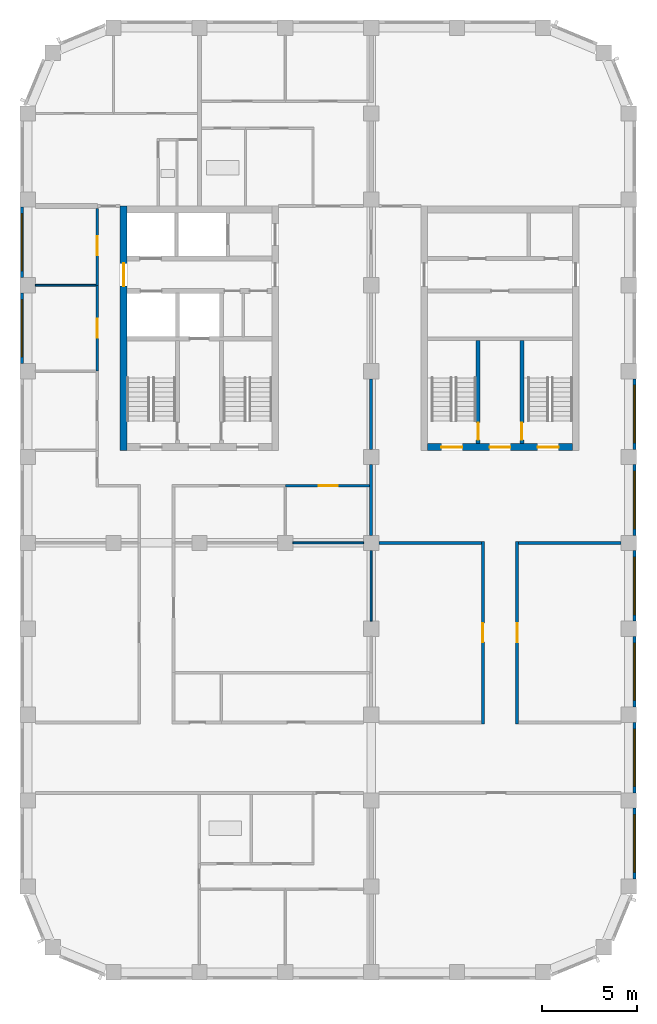
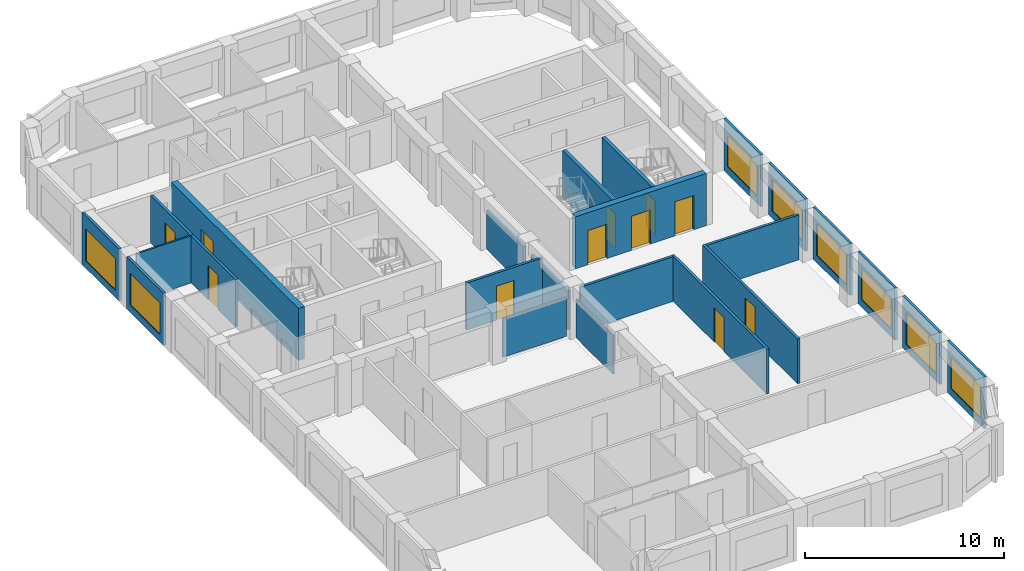
# One storey, part 4 of 9: 24 walls, 11 doors, 8 windows, 19 openings.
"""IFC4 building model written with IfcOpenShell, lengths in metres."""

from ifc_helpers import new_model, si_unit, direction, frame, frame_2d, origin, place, context, subcontext, project, spatial, rectangle, extrude, material, layer, layer_set, type_object, element, fill, save


model = new_model("IFC4")

# Units and contexts
model_context = context("Model", 3, precision=1e-05, world=origin(), true_north=direction((0.0, 1.0)))
body_context = subcontext(model_context, "Body", "Model", "MODEL_VIEW")
ifc_project = project(units=[si_unit("LENGTHUNIT", "METRE"), si_unit("AREAUNIT", "SQUARE_METRE"), si_unit("VOLUMEUNIT", "CUBIC_METRE"), si_unit("PLANEANGLEUNIT", "RADIAN"), si_unit("MASSUNIT", "GRAM", prefix="KILO")], contexts=[model_context])

# Site, building, storey
site_placement = place(None, origin())
site = spatial("IfcSite", under=ifc_project, at=site_placement, CompositionType="ELEMENT")
building_placement = place(site_placement, origin())
building = spatial("IfcBuilding", under=site, at=building_placement, Name="Girih Gate Residences", CompositionType="ELEMENT")
storey_placement = place(building_placement, frame((0.0, 0.0, 219.695068359375)))
storey = spatial("IfcBuildingStorey", under=building, at=storey_placement, Name="L61", CompositionType="ELEMENT", Elevation=219.695068359375)

# Walls
ifc_material_1 = material(Name="Gypsum board on steel studs", Category="steel")
ifc_layer_1 = layer(ifc_material_1, 0.14990234375)
ifc_layer_set_1 = layer_set([ifc_layer_1], Name="Compartment wall 150 mm")
wall_type_1 = type_object("IfcWallType", Name="Compartment wall 150 mm", PredefinedType="PARTITIONING", material=ifc_layer_set_1)
for number, where, z_axis, x_axis, name in (
    (1, (18.39990234375, 22.5, 0.0), (0.0, 0.0, 1.0), (1.0, 0.0, 0.0), "L61 partition"),
    (2, (25.72509765625, 22.5, 0.0), (0.0, 0.0, 1.0), (1.0, 0.0, 0.0), "L61 partition"),
):
    element("IfcWall", number, at=place(storey_placement, frame(where, z_axis=z_axis, x_axis=x_axis)), inside=storey, type_object=wall_type_1, Name=name, PredefinedType="PARTITIONING", context=body_context, shape_type="SweptSolid", body=[
        extrude(rectangle(XDim=5.375, YDim=0.14990234375, at=frame_2d((2.6875, 0.0))), origin(), (0.0, 0.0, 1.0), 2.75),
    ])
for number, where, z_axis, x_axis, name in (
    (3, (18.0, 27.39990234375, 0.0), (0.0, 0.0, 1.0), (0.0, 1.0, 0.0), "L61 partition"),
    (4, (18.0, 22.89990234375, 0.0), (0.0, 0.0, 1.0), (0.0, 1.0, 0.0), "L61 partition"),
):
    element("IfcWall", number, at=place(storey_placement, frame(where, z_axis=z_axis, x_axis=x_axis)), inside=storey, type_object=wall_type_1, Name=name, PredefinedType="PARTITIONING", context=body_context, shape_type="SweptSolid", body=[
        extrude(rectangle(XDim=3.7001953125, YDim=0.14990234375, at=frame_2d((1.85009765625, 0.0))), origin(), (0.0, 0.0, 1.0), 2.3798828125),
    ])

# Wall, opening, door
wall_1_placement = place(storey_placement, frame((23.85009765625, 13.02490234375, 0.0), z_axis=(0.0, 0.0, 1.0), x_axis=(0.0, 1.0, 0.0)))
wall_1 = element("IfcWall", 5, at=wall_1_placement, inside=storey, type_object=wall_type_1, Name="L61 partition", PredefinedType="PARTITIONING", context=body_context, shape_type="SweptSolid", body=[
    extrude(rectangle(XDim=9.550048828125, YDim=0.14990234375, at=frame_2d((4.77490234375, 0.0))), origin(), (0.0, 0.0, 1.0), 2.75),
])
opening_1_placement = place(wall_1_placement, frame((4.27490234375, 0.0, 0.0)))
opening_1 = element("IfcOpeningElement", 6, at=opening_1_placement, cuts=wall_1, Name="Opening A61-021", PredefinedType="OPENING", context=body_context, shape_type="SweptSolid", body=[
    extrude(rectangle(XDim=1.0, YDim=2.10009765625, at=frame_2d((0.5, 1.050048828125))), frame((0.0, 0.0849609375, 0.0), z_axis=(0.0, -1.0, 0.0), x_axis=(1.0, 0.0, 0.0)), (0.0, 0.0, 1.0), 0.169921875),
])
ifc_material_2 = material(Name="Timber, fire-rated core", Category="wood")
door_type_1 = type_object("IfcDoorType", Name="Amenity room door 1000x2100 FD30S", OperationType="NOTDEFINED", PredefinedType="DOOR", material=ifc_material_2)
door_1_placement = place(opening_1_placement, origin())
door_1 = element("IfcDoor", 7, at=door_1_placement, inside=storey, type_object=door_type_1, Name="Door A61-021", OperationType="SINGLE_SWING_RIGHT", OverallHeight=2.10009765625, OverallWidth=1.0, PredefinedType="DOOR", context=body_context, shape_type="SweptSolid", body=[
    extrude(rectangle(XDim=1.0, YDim=2.10009765625, at=frame_2d((0.5, 1.050048828125))), frame((0.0, 0.02490234375, 0.0), z_axis=(0.0, -1.0, 0.0), x_axis=(1.0, 0.0, 0.0)), (0.0, 0.0, 1.0), 0.050048828125),
])
fill(opening_1, door_1)

wall_2_placement = place(storey_placement, frame((25.64990234375, 22.574951171875, 0.0), z_axis=(0.0, 0.0, 1.0), x_axis=(0.0, -1.0, 0.0)))
wall_2 = element("IfcWall", 8, at=wall_2_placement, inside=storey, type_object=wall_type_1, Name="L61 partition", PredefinedType="PARTITIONING", context=body_context, shape_type="SweptSolid", body=[
    extrude(rectangle(XDim=9.550048828125, YDim=0.14990234375, at=frame_2d((4.77490234375, 0.0))), origin(), (0.0, 0.0, 1.0), 2.75),
])
opening_2_placement = place(wall_2_placement, frame((4.27490234375, 0.0, 0.0)))
opening_2 = element("IfcOpeningElement", 9, at=opening_2_placement, cuts=wall_2, Name="Opening A61-022", PredefinedType="OPENING", context=body_context, shape_type="SweptSolid", body=[
    extrude(rectangle(XDim=1.0, YDim=2.10009765625, at=frame_2d((0.5, 1.050048828125))), frame((0.0, 0.0849609375, 0.0), z_axis=(0.0, -1.0, 0.0), x_axis=(1.0, 0.0, 0.0)), (0.0, 0.0, 1.0), 0.169921875),
])
door_2_placement = place(opening_2_placement, origin())
door_2 = element("IfcDoor", 10, at=door_2_placement, inside=storey, type_object=door_type_1, Name="Door A61-022", OperationType="SINGLE_SWING_LEFT", OverallHeight=2.10009765625, OverallWidth=1.0, PredefinedType="DOOR", context=body_context, shape_type="SweptSolid", body=[
    extrude(rectangle(XDim=1.0, YDim=2.10009765625, at=frame_2d((0.5, 1.050048828125))), frame((0.0, 0.02490234375, 0.0), z_axis=(0.0, -1.0, 0.0), x_axis=(1.0, 0.0, 0.0)), (0.0, 0.0, 1.0), 0.050048828125),
])
fill(opening_2, door_2)

wall_3_placement = place(storey_placement, frame((17.925048828125, 25.5, 0.0), z_axis=(0.0, 0.0, 1.0), x_axis=(-1.0, 0.0, 0.0)))
wall_3 = element("IfcWall", 11, at=wall_3_placement, inside=storey, type_object=wall_type_1, Name="L61 partition", PredefinedType="PARTITIONING", context=body_context, shape_type="SweptSolid", body=[
    extrude(rectangle(XDim=4.425048828125, YDim=0.14990234375, at=frame_2d((2.21240234375, 0.0))), origin(), (0.0, 0.0, 1.0), 2.89990234375),
])
opening_3_placement = place(wall_3_placement, frame((1.675048828125, 0.0, 0.0)))
opening_3 = element("IfcOpeningElement", 12, at=opening_3_placement, cuts=wall_3, Name="Opening A61-027", PredefinedType="OPENING", context=body_context, shape_type="SweptSolid", body=[
    extrude(rectangle(XDim=1.0, YDim=2.10009765625, at=frame_2d((0.5, 1.050048828125))), frame((0.0, 0.0849609375, 0.0), z_axis=(0.0, -1.0, 0.0), x_axis=(1.0, 0.0, 0.0)), (0.0, 0.0, 1.0), 0.169921875),
])
door_3_placement = place(opening_3_placement, origin())
door_3 = element("IfcDoor", 13, at=door_3_placement, inside=storey, type_object=door_type_1, Name="Door A61-027", OperationType="SINGLE_SWING_LEFT", OverallHeight=2.10009765625, OverallWidth=1.0, PredefinedType="DOOR", context=body_context, shape_type="SweptSolid", body=[
    extrude(rectangle(XDim=1.0, YDim=2.10009765625, at=frame_2d((0.5, 1.050048828125))), frame((0.0, 0.02490234375, 0.0), z_axis=(0.0, -1.0, 0.0), x_axis=(1.0, 0.0, 0.0)), (0.0, 0.0, 1.0), 0.050048828125),
])
fill(opening_3, door_3)

wall_4_placement = place(storey_placement, frame((3.64990234375, 31.5, 0.0), z_axis=(0.0, 0.0, 1.0), x_axis=(0.0, 1.0, 0.0)))
wall_4 = element("IfcWall", 14, at=wall_4_placement, inside=storey, type_object=wall_type_1, Name="L61 partition", PredefinedType="PARTITIONING", context=body_context, shape_type="SweptSolid", body=[
    extrude(rectangle(XDim=4.5, YDim=0.14990234375, at=frame_2d((2.25, 0.0))), origin(), (0.0, 0.0, 1.0), 2.89990234375),
])
opening_4_placement = place(wall_4_placement, frame((1.75, 0.0, 0.0)))
opening_4 = element("IfcOpeningElement", 15, at=opening_4_placement, cuts=wall_4, Name="Opening A61-029", PredefinedType="OPENING", context=body_context, shape_type="SweptSolid", body=[
    extrude(rectangle(XDim=1.0, YDim=2.10009765625, at=frame_2d((0.5, 1.050048828125))), frame((0.0, 0.0849609375, 0.0), z_axis=(0.0, -1.0, 0.0), x_axis=(1.0, 0.0, 0.0)), (0.0, 0.0, 1.0), 0.169921875),
])
door_4_placement = place(opening_4_placement, origin())
door_4 = element("IfcDoor", 16, at=door_4_placement, inside=storey, type_object=door_type_1, Name="Door A61-029", OperationType="SINGLE_SWING_RIGHT", OverallHeight=2.10009765625, OverallWidth=1.0, PredefinedType="DOOR", context=body_context, shape_type="SweptSolid", body=[
    extrude(rectangle(XDim=1.0, YDim=2.10009765625, at=frame_2d((0.5, 1.050048828125))), frame((0.0, 0.02490234375, 0.0), z_axis=(0.0, -1.0, 0.0), x_axis=(1.0, 0.0, 0.0)), (0.0, 0.0, 1.0), 0.050048828125),
])
fill(opening_4, door_4)

wall_5_placement = place(storey_placement, frame((3.64990234375, 36.0, 0.0), z_axis=(0.0, 0.0, 1.0), x_axis=(0.0, 1.0, 0.0)))
wall_5 = element("IfcWall", 17, at=wall_5_placement, inside=storey, type_object=wall_type_1, Name="L61 partition", PredefinedType="PARTITIONING", context=body_context, shape_type="SweptSolid", body=[
    extrude(rectangle(XDim=4.02490234375, YDim=0.14990234375, at=frame_2d((2.012451171875, 0.0))), origin(), (0.0, 0.0, 1.0), 2.89990234375),
])
opening_5_placement = place(wall_5_placement, frame((1.574951171875, 0.0, 0.0)))
opening_5 = element("IfcOpeningElement", 18, at=opening_5_placement, cuts=wall_5, Name="Opening A61-030", PredefinedType="OPENING", context=body_context, shape_type="SweptSolid", body=[
    extrude(rectangle(XDim=1.0, YDim=2.10009765625, at=frame_2d((0.5, 1.050048828125))), frame((0.0, 0.0849609375, 0.0), z_axis=(0.0, -1.0, 0.0), x_axis=(1.0, 0.0, 0.0)), (0.0, 0.0, 1.0), 0.169921875),
])
door_5_placement = place(opening_5_placement, origin())
door_5 = element("IfcDoor", 19, at=door_5_placement, inside=storey, type_object=door_type_1, Name="Door A61-030", OperationType="SINGLE_SWING_RIGHT", OverallHeight=2.10009765625, OverallWidth=1.0, PredefinedType="DOOR", context=body_context, shape_type="SweptSolid", body=[
    extrude(rectangle(XDim=1.0, YDim=2.10009765625, at=frame_2d((0.5, 1.050048828125))), frame((0.0, 0.02490234375, 0.0), z_axis=(0.0, -1.0, 0.0), x_axis=(1.0, 0.0, 0.0)), (0.0, 0.0, 1.0), 0.050048828125),
])
fill(opening_5, door_5)

ifc_material_3 = material(Name="Concrete C60/75", Category="concrete")
ifc_layer_2 = layer(ifc_material_3, 0.35009765625)
ifc_layer_set_2 = layer_set([ifc_layer_2], Name="Core wall RC 350 Concrete C60/75")
wall_type_2 = type_object("IfcWallType", Name="Core wall RC 350 Concrete C60/75", PredefinedType="SOLIDWALL", material=ifc_layer_set_2)
wall_6_placement = place(storey_placement, frame((5.02490234375, 27.35009765625, 0.0), z_axis=(0.0, 0.0, 1.0), x_axis=(0.0, 1.0, 0.0)))
wall_6 = element("IfcWall", 20, at=wall_6_placement, inside=storey, type_object=wall_type_2, Name="Core wall W-W L61", PredefinedType="SOLIDWALL", context=body_context, shape_type="SweptSolid", body=[
    extrude(rectangle(XDim=12.7998046875, YDim=0.35009765625, at=frame_2d((6.39990234375, 0.0))), origin(), (0.0, 0.0, 1.0), 3.199951171875),
])
opening_6_placement = place(wall_6_placement, frame((8.60009765625, 0.0, 0.0)))
opening_6 = element("IfcOpeningElement", 21, at=opening_6_placement, cuts=wall_6, Name="Opening D-L61-W-013", PredefinedType="OPENING", context=body_context, shape_type="SweptSolid", body=[
    extrude(rectangle(XDim=1.199951171875, YDim=2.10009765625, at=frame_2d((0.60009765625, 1.050048828125))), frame((0.0, 0.18505859375, 0.0), z_axis=(0.0, -1.0, 0.0), x_axis=(1.0, 0.0, 0.0)), (0.0, 0.0, 1.0), 0.3701171875),
])
ifc_material_4 = material(Name="Painted steel, fire-resisting", Category="steel")
door_type_2 = type_object("IfcDoorType", Name="Fire door 1200x2100", OperationType="SINGLE_SWING_LEFT", PredefinedType="DOOR", material=ifc_material_4)
door_6_placement = place(opening_6_placement, origin())
door_6 = element("IfcDoor", 22, at=door_6_placement, inside=storey, type_object=door_type_2, Name="L61 W core door ll-w", OperationType="SINGLE_SWING_LEFT", OverallHeight=2.10009765625, OverallWidth=1.199951171875, PredefinedType="DOOR", context=body_context, shape_type="SweptSolid", body=[
    extrude(rectangle(XDim=1.199951171875, YDim=2.10009765625, at=frame_2d((0.60009765625, 1.050048828125))), frame((0.0, 0.02490234375, 0.0), z_axis=(0.0, -1.0, 0.0), x_axis=(1.0, 0.0, 0.0)), (0.0, 0.0, 1.0), 0.050048828125),
])
fill(opening_6, door_6)

# Walls
ifc_layer_3 = layer(ifc_material_1, 0.10009765625)
ifc_layer_set_3 = layer_set([ifc_layer_3], Name="Partition 100 mm")
wall_type_3 = type_object("IfcWallType", Name="Partition 100 mm", PredefinedType="PARTITIONING", material=ifc_layer_set_3)
for number, where, z_axis, x_axis, name in (
    (23, (18.0, 18.39990234375, 0.0), (0.0, 0.0, 1.0), (0.0, 1.0, 0.0), "L61 partition"),
    (24, (13.89990234375, 22.5, 0.0), (0.0, 0.0, 1.0), (1.0, 0.0, 0.0), "L61 partition"),
):
    element("IfcWall", number, at=place(storey_placement, frame(where, z_axis=z_axis, x_axis=x_axis)), inside=storey, type_object=wall_type_3, Name=name, PredefinedType="PARTITIONING", context=body_context, shape_type="SweptSolid", body=[
        extrude(rectangle(XDim=3.7001953125, YDim=0.10009765625, at=frame_2d((1.85009765625, 0.0))), origin(), (0.0, 0.0, 1.0), 2.3798828125),
    ])
wall_7_placement = place(storey_placement, frame((0.39990234375, 36.0, 0.0), z_axis=(0.0, 0.0, 1.0), x_axis=(1.0, 0.0, 0.0)))
element("IfcWall", 25, at=wall_7_placement, inside=storey, type_object=wall_type_3, Name="L61 partition", PredefinedType="PARTITIONING", context=body_context, shape_type="SweptSolid", body=[
    extrude(rectangle(XDim=3.175048828125, YDim=0.10009765625, at=frame_2d((1.58740234375, 0.0))), origin(), (0.0, 0.0, 1.0), 2.89990234375),
])

# Wall, opening, window
ifc_material_5 = material(Name="Precast concrete C50/60", Category="concrete")
ifc_layer_4 = layer(ifc_material_5, 0.050048828125, Name="Outer leaf")
ifc_material_6 = material(Name="Rigid PIR insulation")
ifc_layer_5 = layer(ifc_material_6, 0.06005859375, Name="Insulation")
ifc_material_7 = material(Name="Precast concrete C40/50", Category="concrete")
ifc_layer_6 = layer(ifc_material_7, 0.0400390625, Name="Inner leaf")
ifc_layer_set_4 = layer_set([ifc_layer_4, ifc_layer_5, ifc_layer_6], Name="Precast concrete C50/60 external wall 150")
wall_type_4 = type_object("IfcWallType", Name="Precast concrete C50/60 external wall 150", PredefinedType="SOLIDWALL", material=ifc_layer_set_4)
wall_8_placement = place(storey_placement, frame((31.800048828125, 8.60009765625, 0.0), z_axis=(0.0, 0.0, 1.0), x_axis=(0.0, -1.0, 0.0)))
wall_8 = element("IfcWall", 26, at=wall_8_placement, inside=storey, type_object=wall_type_4, Name="External wall E0315_0045.0", PredefinedType="SOLIDWALL", context=body_context, shape_type="SweptSolid", body=[
    extrude(rectangle(XDim=3.7001953125, YDim=0.14990234375, at=frame_2d((1.85009765625, 0.0))), origin(), (0.0, 0.0, 1.0), 3.199951171875),
])
opening_7_placement = place(wall_8_placement, frame((0.35009765625, 0.0, 0.449951171875)))
opening_7 = element("IfcOpeningElement", 27, at=opening_7_placement, cuts=wall_8, Name="Opening W-1D", PredefinedType="OPENING", context=body_context, shape_type="SweptSolid", body=[
    extrude(rectangle(XDim=3.0, YDim=1.949951171875, at=frame_2d((1.5, 0.97509765625))), frame((0.0, 0.0849609375, 0.0), z_axis=(0.0, -1.0, 0.0), x_axis=(1.0, 0.0, 0.0)), (0.0, 0.0, 1.0), 0.169921875),
])
ifc_material_8 = material(Name="Double glazing in aluminium frame", Category="aluminium")
window_type = type_object("IfcWindowType", Name="Window W-1D 3000x1950", PartitioningType="SINGLE_PANEL", PredefinedType="WINDOW", material=ifc_material_8)
window_1_placement = place(opening_7_placement, origin())
window_1 = element("IfcWindow", 28, at=window_1_placement, inside=storey, type_object=window_type, Name="Window W-1D E0315_0045.0", OverallHeight=1.949951171875, OverallWidth=3.0, PartitioningType="SINGLE_PANEL", PredefinedType="WINDOW", context=body_context, shape_type="SweptSolid", body=[
    extrude(rectangle(XDim=3.0, YDim=1.949951171875, at=frame_2d((1.5, 0.97509765625))), frame((0.0, 0.030029296875, 0.0), z_axis=(0.0, -1.0, 0.0), x_axis=(1.0, 0.0, 0.0)), (0.0, 0.0, 1.0), 0.06005859375),
])
fill(opening_7, window_1)

wall_9_placement = place(storey_placement, frame((31.800048828125, 13.10009765625, 0.0), z_axis=(0.0, 0.0, 1.0), x_axis=(0.0, -1.0, 0.0)))
wall_9 = element("IfcWall", 29, at=wall_9_placement, inside=storey, type_object=wall_type_4, Name="External wall E0315_0045.1", PredefinedType="SOLIDWALL", context=body_context, shape_type="SweptSolid", body=[
    extrude(rectangle(XDim=3.7001953125, YDim=0.14990234375, at=frame_2d((1.85009765625, 0.0))), origin(), (0.0, 0.0, 1.0), 3.199951171875),
])
opening_8_placement = place(wall_9_placement, frame((0.35009765625, 0.0, 0.449951171875)))
opening_8 = element("IfcOpeningElement", 30, at=opening_8_placement, cuts=wall_9, Name="Opening W-1D", PredefinedType="OPENING", context=body_context, shape_type="SweptSolid", body=[
    extrude(rectangle(XDim=3.0, YDim=1.949951171875, at=frame_2d((1.5, 0.97509765625))), frame((0.0, 0.0849609375, 0.0), z_axis=(0.0, -1.0, 0.0), x_axis=(1.0, 0.0, 0.0)), (0.0, 0.0, 1.0), 0.169921875),
])
window_2_placement = place(opening_8_placement, origin())
window_2 = element("IfcWindow", 31, at=window_2_placement, inside=storey, type_object=window_type, Name="Window W-1D E0315_0045.1", OverallHeight=1.949951171875, OverallWidth=3.0, PartitioningType="SINGLE_PANEL", PredefinedType="WINDOW", context=body_context, shape_type="SweptSolid", body=[
    extrude(rectangle(XDim=3.0, YDim=1.949951171875, at=frame_2d((1.5, 0.97509765625))), frame((0.0, 0.030029296875, 0.0), z_axis=(0.0, -1.0, 0.0), x_axis=(1.0, 0.0, 0.0)), (0.0, 0.0, 1.0), 0.06005859375),
])
fill(opening_8, window_2)

wall_10_placement = place(storey_placement, frame((31.800048828125, 17.60009765625, 0.0), z_axis=(0.0, 0.0, 1.0), x_axis=(0.0, -1.0, 0.0)))
wall_10 = element("IfcWall", 32, at=wall_10_placement, inside=storey, type_object=wall_type_4, Name="External wall E0315_0045.2", PredefinedType="SOLIDWALL", context=body_context, shape_type="SweptSolid", body=[
    extrude(rectangle(XDim=3.7001953125, YDim=0.14990234375, at=frame_2d((1.85009765625, 0.0))), origin(), (0.0, 0.0, 1.0), 3.199951171875),
])
opening_9_placement = place(wall_10_placement, frame((0.35009765625, 0.0, 0.449951171875)))
opening_9 = element("IfcOpeningElement", 33, at=opening_9_placement, cuts=wall_10, Name="Opening W-1D", PredefinedType="OPENING", context=body_context, shape_type="SweptSolid", body=[
    extrude(rectangle(XDim=3.0, YDim=1.949951171875, at=frame_2d((1.5, 0.97509765625))), frame((0.0, 0.0849609375, 0.0), z_axis=(0.0, -1.0, 0.0), x_axis=(1.0, 0.0, 0.0)), (0.0, 0.0, 1.0), 0.169921875),
])
window_3_placement = place(opening_9_placement, origin())
window_3 = element("IfcWindow", 34, at=window_3_placement, inside=storey, type_object=window_type, Name="Window W-1D E0315_0045.2", OverallHeight=1.949951171875, OverallWidth=3.0, PartitioningType="SINGLE_PANEL", PredefinedType="WINDOW", context=body_context, shape_type="SweptSolid", body=[
    extrude(rectangle(XDim=3.0, YDim=1.949951171875, at=frame_2d((1.5, 0.97509765625))), frame((0.0, 0.030029296875, 0.0), z_axis=(0.0, -1.0, 0.0), x_axis=(1.0, 0.0, 0.0)), (0.0, 0.0, 1.0), 0.06005859375),
])
fill(opening_9, window_3)

wall_11_placement = place(storey_placement, frame((31.800048828125, 22.10009765625, 0.0), z_axis=(0.0, 0.0, 1.0), x_axis=(0.0, -1.0, 0.0)))
wall_11 = element("IfcWall", 35, at=wall_11_placement, inside=storey, type_object=wall_type_4, Name="External wall E0315_0045.3", PredefinedType="SOLIDWALL", context=body_context, shape_type="SweptSolid", body=[
    extrude(rectangle(XDim=3.7001953125, YDim=0.14990234375, at=frame_2d((1.85009765625, 0.0))), origin(), (0.0, 0.0, 1.0), 3.199951171875),
])
opening_10_placement = place(wall_11_placement, frame((0.35009765625, 0.0, 0.449951171875)))
opening_10 = element("IfcOpeningElement", 36, at=opening_10_placement, cuts=wall_11, Name="Opening W-1D", PredefinedType="OPENING", context=body_context, shape_type="SweptSolid", body=[
    extrude(rectangle(XDim=3.0, YDim=1.949951171875, at=frame_2d((1.5, 0.97509765625))), frame((0.0, 0.0849609375, 0.0), z_axis=(0.0, -1.0, 0.0), x_axis=(1.0, 0.0, 0.0)), (0.0, 0.0, 1.0), 0.169921875),
])
window_4_placement = place(opening_10_placement, origin())
window_4 = element("IfcWindow", 37, at=window_4_placement, inside=storey, type_object=window_type, Name="Window W-1D E0315_0045.3", OverallHeight=1.949951171875, OverallWidth=3.0, PartitioningType="SINGLE_PANEL", PredefinedType="WINDOW", context=body_context, shape_type="SweptSolid", body=[
    extrude(rectangle(XDim=3.0, YDim=1.949951171875, at=frame_2d((1.5, 0.97509765625))), frame((0.0, 0.030029296875, 0.0), z_axis=(0.0, -1.0, 0.0), x_axis=(1.0, 0.0, 0.0)), (0.0, 0.0, 1.0), 0.06005859375),
])
fill(opening_10, window_4)

wall_12_placement = place(storey_placement, frame((31.800048828125, 26.60009765625, 0.0), z_axis=(0.0, 0.0, 1.0), x_axis=(0.0, -1.0, 0.0)))
wall_12 = element("IfcWall", 38, at=wall_12_placement, inside=storey, type_object=wall_type_4, Name="External wall E0315_0045.4", PredefinedType="SOLIDWALL", context=body_context, shape_type="SweptSolid", body=[
    extrude(rectangle(XDim=3.7001953125, YDim=0.14990234375, at=frame_2d((1.85009765625, 0.0))), origin(), (0.0, 0.0, 1.0), 3.199951171875),
])
opening_11_placement = place(wall_12_placement, frame((0.35009765625, 0.0, 0.449951171875)))
opening_11 = element("IfcOpeningElement", 39, at=opening_11_placement, cuts=wall_12, Name="Opening W-1D", PredefinedType="OPENING", context=body_context, shape_type="SweptSolid", body=[
    extrude(rectangle(XDim=3.0, YDim=1.949951171875, at=frame_2d((1.5, 0.97509765625))), frame((0.0, 0.0849609375, 0.0), z_axis=(0.0, -1.0, 0.0), x_axis=(1.0, 0.0, 0.0)), (0.0, 0.0, 1.0), 0.169921875),
])
window_5_placement = place(opening_11_placement, origin())
window_5 = element("IfcWindow", 40, at=window_5_placement, inside=storey, type_object=window_type, Name="Window W-1D E0315_0045.4", OverallHeight=1.949951171875, OverallWidth=3.0, PartitioningType="SINGLE_PANEL", PredefinedType="WINDOW", context=body_context, shape_type="SweptSolid", body=[
    extrude(rectangle(XDim=3.0, YDim=1.949951171875, at=frame_2d((1.5, 0.97509765625))), frame((0.0, 0.030029296875, 0.0), z_axis=(0.0, -1.0, 0.0), x_axis=(1.0, 0.0, 0.0)), (0.0, 0.0, 1.0), 0.06005859375),
])
fill(opening_11, window_5)

wall_13_placement = place(storey_placement, frame((31.800048828125, 31.10009765625, 0.0), z_axis=(0.0, 0.0, 1.0), x_axis=(0.0, -1.0, 0.0)))
wall_13 = element("IfcWall", 41, at=wall_13_placement, inside=storey, type_object=wall_type_4, Name="External wall E0315_0045.5", PredefinedType="SOLIDWALL", context=body_context, shape_type="SweptSolid", body=[
    extrude(rectangle(XDim=3.7001953125, YDim=0.14990234375, at=frame_2d((1.85009765625, 0.0))), origin(), (0.0, 0.0, 1.0), 3.199951171875),
])
opening_12_placement = place(wall_13_placement, frame((0.35009765625, 0.0, 0.449951171875)))
opening_12 = element("IfcOpeningElement", 42, at=opening_12_placement, cuts=wall_13, Name="Opening W-1D", PredefinedType="OPENING", context=body_context, shape_type="SweptSolid", body=[
    extrude(rectangle(XDim=3.0, YDim=1.949951171875, at=frame_2d((1.5, 0.97509765625))), frame((0.0, 0.0849609375, 0.0), z_axis=(0.0, -1.0, 0.0), x_axis=(1.0, 0.0, 0.0)), (0.0, 0.0, 1.0), 0.169921875),
])
window_6_placement = place(opening_12_placement, origin())
window_6 = element("IfcWindow", 43, at=window_6_placement, inside=storey, type_object=window_type, Name="Window W-1D E0315_0045.5", OverallHeight=1.949951171875, OverallWidth=3.0, PartitioningType="SINGLE_PANEL", PredefinedType="WINDOW", context=body_context, shape_type="SweptSolid", body=[
    extrude(rectangle(XDim=3.0, YDim=1.949951171875, at=frame_2d((1.5, 0.97509765625))), frame((0.0, 0.030029296875, 0.0), z_axis=(0.0, -1.0, 0.0), x_axis=(1.0, 0.0, 0.0)), (0.0, 0.0, 1.0), 0.06005859375),
])
fill(opening_12, window_6)

wall_14_placement = place(storey_placement, frame((-0.300048828125, 36.39990234375, 0.0), z_axis=(0.0, 0.0, 1.0), x_axis=(0.0, 1.0, 0.0)))
wall_14 = element("IfcWall", 44, at=wall_14_placement, inside=storey, type_object=wall_type_4, Name="External wall W0000_0450.1", PredefinedType="SOLIDWALL", context=body_context, shape_type="SweptSolid", body=[
    extrude(rectangle(XDim=3.7001953125, YDim=0.14990234375, at=frame_2d((1.85009765625, 0.0))), origin(), (0.0, 0.0, 1.0), 3.199951171875),
])
opening_13_placement = place(wall_14_placement, frame((0.35009765625, 0.0, 0.449951171875)))
opening_13 = element("IfcOpeningElement", 45, at=opening_13_placement, cuts=wall_14, Name="Opening W-1D", PredefinedType="OPENING", context=body_context, shape_type="SweptSolid", body=[
    extrude(rectangle(XDim=3.0, YDim=1.949951171875, at=frame_2d((1.5, 0.97509765625))), frame((0.0, 0.0849609375, 0.0), z_axis=(0.0, -1.0, 0.0), x_axis=(1.0, 0.0, 0.0)), (0.0, 0.0, 1.0), 0.169921875),
])
window_7_placement = place(opening_13_placement, origin())
window_7 = element("IfcWindow", 46, at=window_7_placement, inside=storey, type_object=window_type, Name="Window W-1D W0000_0450.1", OverallHeight=1.949951171875, OverallWidth=3.0, PartitioningType="SINGLE_PANEL", PredefinedType="WINDOW", context=body_context, shape_type="SweptSolid", body=[
    extrude(rectangle(XDim=3.0, YDim=1.949951171875, at=frame_2d((1.5, 0.97509765625))), frame((0.0, 0.030029296875, 0.0), z_axis=(0.0, -1.0, 0.0), x_axis=(1.0, 0.0, 0.0)), (0.0, 0.0, 1.0), 0.06005859375),
])
fill(opening_13, window_7)

wall_15_placement = place(storey_placement, frame((-0.300048828125, 31.89990234375, 0.0), z_axis=(0.0, 0.0, 1.0), x_axis=(0.0, 1.0, 0.0)))
wall_15 = element("IfcWall", 47, at=wall_15_placement, inside=storey, type_object=wall_type_4, Name="External wall W0000_0450.2", PredefinedType="SOLIDWALL", context=body_context, shape_type="SweptSolid", body=[
    extrude(rectangle(XDim=3.7001953125, YDim=0.14990234375, at=frame_2d((1.85009765625, 0.0))), origin(), (0.0, 0.0, 1.0), 3.199951171875),
])
opening_14_placement = place(wall_15_placement, frame((0.35009765625, 0.0, 0.449951171875)))
opening_14 = element("IfcOpeningElement", 48, at=opening_14_placement, cuts=wall_15, Name="Opening W-1D", PredefinedType="OPENING", context=body_context, shape_type="SweptSolid", body=[
    extrude(rectangle(XDim=3.0, YDim=1.949951171875, at=frame_2d((1.5, 0.97509765625))), frame((0.0, 0.0849609375, 0.0), z_axis=(0.0, -1.0, 0.0), x_axis=(1.0, 0.0, 0.0)), (0.0, 0.0, 1.0), 0.169921875),
])
window_8_placement = place(opening_14_placement, origin())
window_8 = element("IfcWindow", 49, at=window_8_placement, inside=storey, type_object=window_type, Name="Window W-1D W0000_0450.2", OverallHeight=1.949951171875, OverallWidth=3.0, PartitioningType="SINGLE_PANEL", PredefinedType="WINDOW", context=body_context, shape_type="SweptSolid", body=[
    extrude(rectangle(XDim=3.0, YDim=1.949951171875, at=frame_2d((1.5, 0.97509765625))), frame((0.0, 0.030029296875, 0.0), z_axis=(0.0, -1.0, 0.0), x_axis=(1.0, 0.0, 0.0)), (0.0, 0.0, 1.0), 0.06005859375),
])
fill(opening_14, window_8)

# Wall, opening, door
ifc_material_9 = material(Name="Concrete C40/50", Category="concrete")
ifc_layer_7 = layer(ifc_material_9, 0.199951171875)
ifc_layer_set_5 = layer_set([ifc_layer_7], Name="Shaft wall 200")
wall_type_5 = type_object("IfcWallType", Name="Shaft wall 200", PredefinedType="SOLIDWALL", material=ifc_layer_set_5)
wall_16_placement = place(storey_placement, frame((23.60009765625, 27.699951171875, 0.0), z_axis=(0.0, 0.0, 1.0), x_axis=(0.0, 1.0, 0.0)))
wall_16 = element("IfcWall", 50, at=wall_16_placement, inside=storey, type_object=wall_type_5, Name="L61 C core wall V1a", PredefinedType="SOLIDWALL", context=body_context, shape_type="SweptSolid", body=[
    extrude(rectangle(XDim=5.400146484375, YDim=0.199951171875, at=frame_2d((2.7001953125, 0.0))), origin(), (0.0, 0.0, 1.0), 2.89990234375),
])
opening_15_placement = place(wall_16_placement, frame((0.199951171875, 0.0, 0.0)))
opening_15 = element("IfcOpeningElement", 51, at=opening_15_placement, cuts=wall_16, Name="Opening D-L61-C-001", PredefinedType="OPENING", context=body_context, shape_type="SweptSolid", body=[
    extrude(rectangle(XDim=0.89990234375, YDim=2.10009765625, at=frame_2d((0.449951171875, 1.050048828125))), frame((0.0, 0.10986328125, 0.0), z_axis=(0.0, -1.0, 0.0), x_axis=(1.0, 0.0, 0.0)), (0.0, 0.0, 1.0), 0.219970703125),
])
door_type_3 = type_object("IfcDoorType", Name="Fire door 900x2100", OperationType="SINGLE_SWING_LEFT", PredefinedType="DOOR", material=ifc_material_4)
door_7_placement = place(opening_15_placement, origin())
door_7 = element("IfcDoor", 52, at=door_7_placement, inside=storey, type_object=door_type_3, Name="L61 C door stair 1 to stair lobby", OperationType="SINGLE_SWING_LEFT", OverallHeight=2.10009765625, OverallWidth=0.89990234375, PredefinedType="DOOR", context=body_context, shape_type="SweptSolid", body=[
    extrude(rectangle(XDim=0.89990234375, YDim=2.10009765625, at=frame_2d((0.449951171875, 1.050048828125))), frame((0.0, 0.02490234375, 0.0), z_axis=(0.0, -1.0, 0.0), x_axis=(1.0, 0.0, 0.0)), (0.0, 0.0, 1.0), 0.050048828125),
])
fill(opening_15, door_7)

wall_17_placement = place(storey_placement, frame((25.89990234375, 27.699951171875, 0.0), z_axis=(0.0, 0.0, 1.0), x_axis=(0.0, 1.0, 0.0)))
wall_17 = element("IfcWall", 53, at=wall_17_placement, inside=storey, type_object=wall_type_5, Name="L61 C core wall V2a", PredefinedType="SOLIDWALL", context=body_context, shape_type="SweptSolid", body=[
    extrude(rectangle(XDim=5.400146484375, YDim=0.199951171875, at=frame_2d((2.7001953125, 0.0))), origin(), (0.0, 0.0, 1.0), 2.89990234375),
])
opening_16_placement = place(wall_17_placement, frame((0.199951171875, 0.0, 0.0)))
opening_16 = element("IfcOpeningElement", 54, at=opening_16_placement, cuts=wall_17, Name="Opening D-L61-C-002", PredefinedType="OPENING", context=body_context, shape_type="SweptSolid", body=[
    extrude(rectangle(XDim=0.89990234375, YDim=2.10009765625, at=frame_2d((0.449951171875, 1.050048828125))), frame((0.0, 0.10986328125, 0.0), z_axis=(0.0, -1.0, 0.0), x_axis=(1.0, 0.0, 0.0)), (0.0, 0.0, 1.0), 0.219970703125),
])
door_8_placement = place(opening_16_placement, origin())
door_8 = element("IfcDoor", 55, at=door_8_placement, inside=storey, type_object=door_type_3, Name="L61 C door stair 2 to stair lobby", OperationType="SINGLE_SWING_LEFT", OverallHeight=2.10009765625, OverallWidth=0.89990234375, PredefinedType="DOOR", context=body_context, shape_type="SweptSolid", body=[
    extrude(rectangle(XDim=0.89990234375, YDim=2.10009765625, at=frame_2d((0.449951171875, 1.050048828125))), frame((0.0, 0.02490234375, 0.0), z_axis=(0.0, -1.0, 0.0), x_axis=(1.0, 0.0, 0.0)), (0.0, 0.0, 1.0), 0.050048828125),
])
fill(opening_16, door_8)

# Wall, openings, doors
ifc_layer_8 = layer(ifc_material_9, 0.35009765625)
ifc_layer_set_6 = layer_set([ifc_layer_8], Name="Stair core wall RC 350 Concrete C40/50")
wall_type_6 = type_object("IfcWallType", Name="Stair core wall RC 350 Concrete C40/50", PredefinedType="SOLIDWALL", material=ifc_layer_set_6)
wall_18_placement = place(storey_placement, frame((20.949951171875, 27.52490234375, 0.0), z_axis=(0.0, 0.0, 1.0), x_axis=(1.0, 0.0, 0.0)))
wall_18 = element("IfcWall", 56, at=wall_18_placement, inside=storey, type_object=wall_type_6, Name="Stair core wall C-S L61", PredefinedType="SOLIDWALL", context=body_context, shape_type="SweptSolid", body=[
    extrude(rectangle(XDim=7.60009765625, YDim=0.35009765625, at=frame_2d((3.800048828125, 0.0))), origin(), (0.0, 0.0, 1.0), 3.199951171875),
])
opening_17_placement = place(wall_18_placement, frame((0.72509765625, 0.0, 0.0)))
opening_17 = element("IfcOpeningElement", 57, at=opening_17_placement, cuts=wall_18, Name="Opening D-L61-C-006", PredefinedType="OPENING", context=body_context, shape_type="SweptSolid", body=[
    extrude(rectangle(XDim=1.10009765625, YDim=2.10009765625, at=frame_2d((0.550048828125, 1.050048828125))), frame((0.0, 0.18505859375, 0.0), z_axis=(0.0, -1.0, 0.0), x_axis=(1.0, 0.0, 0.0)), (0.0, 0.0, 1.0), 0.3701171875),
])
opening_18_placement = place(wall_18_placement, frame((3.25, 0.0, 0.0)))
opening_18 = element("IfcOpeningElement", 58, at=opening_18_placement, cuts=wall_18, Name="Opening D-L61-C-007", PredefinedType="OPENING", context=body_context, shape_type="SweptSolid", body=[
    extrude(rectangle(XDim=1.10009765625, YDim=2.10009765625, at=frame_2d((0.550048828125, 1.050048828125))), frame((0.0, 0.18505859375, 0.0), z_axis=(0.0, -1.0, 0.0), x_axis=(1.0, 0.0, 0.0)), (0.0, 0.0, 1.0), 0.3701171875),
])
opening_19_placement = place(wall_18_placement, frame((5.77490234375, 0.0, 0.0)))
opening_19 = element("IfcOpeningElement", 59, at=opening_19_placement, cuts=wall_18, Name="Opening D-L61-C-008", PredefinedType="OPENING", context=body_context, shape_type="SweptSolid", body=[
    extrude(rectangle(XDim=1.10009765625, YDim=2.10009765625, at=frame_2d((0.550048828125, 1.050048828125))), frame((0.0, 0.18505859375, 0.0), z_axis=(0.0, -1.0, 0.0), x_axis=(1.0, 0.0, 0.0)), (0.0, 0.0, 1.0), 0.3701171875),
])
door_type_4 = type_object("IfcDoorType", Name="Fire door 1100x2100", OperationType="SINGLE_SWING_LEFT", PredefinedType="DOOR", material=ifc_material_4)
door_9_placement = place(opening_17_placement, origin())
door_9 = element("IfcDoor", 60, at=door_9_placement, inside=storey, type_object=door_type_4, Name="L61 C core door sta-out", OperationType="SINGLE_SWING_LEFT", OverallHeight=2.10009765625, OverallWidth=1.10009765625, PredefinedType="DOOR", context=body_context, shape_type="SweptSolid", body=[
    extrude(rectangle(XDim=1.10009765625, YDim=2.10009765625, at=frame_2d((0.550048828125, 1.050048828125))), frame((0.0, 0.02490234375, 0.0), z_axis=(0.0, -1.0, 0.0), x_axis=(1.0, 0.0, 0.0)), (0.0, 0.0, 1.0), 0.050048828125),
])
fill(opening_17, door_9)
door_10_placement = place(opening_18_placement, origin())
door_10 = element("IfcDoor", 61, at=door_10_placement, inside=storey, type_object=door_type_4, Name="L61 C core door ffl-out", OperationType="SINGLE_SWING_LEFT", OverallHeight=2.10009765625, OverallWidth=1.10009765625, PredefinedType="DOOR", context=body_context, shape_type="SweptSolid", body=[
    extrude(rectangle(XDim=1.10009765625, YDim=2.10009765625, at=frame_2d((0.550048828125, 1.050048828125))), frame((0.0, 0.02490234375, 0.0), z_axis=(0.0, -1.0, 0.0), x_axis=(1.0, 0.0, 0.0)), (0.0, 0.0, 1.0), 0.050048828125),
])
fill(opening_18, door_10)
door_11_placement = place(opening_19_placement, origin())
door_11 = element("IfcDoor", 62, at=door_11_placement, inside=storey, type_object=door_type_4, Name="L61 C core door stb-out", OperationType="SINGLE_SWING_LEFT", OverallHeight=2.10009765625, OverallWidth=1.10009765625, PredefinedType="DOOR", context=body_context, shape_type="SweptSolid", body=[
    extrude(rectangle(XDim=1.10009765625, YDim=2.10009765625, at=frame_2d((0.550048828125, 1.050048828125))), frame((0.0, 0.02490234375, 0.0), z_axis=(0.0, -1.0, 0.0), x_axis=(1.0, 0.0, 0.0)), (0.0, 0.0, 1.0), 0.050048828125),
])
fill(opening_19, door_11)

save(model, "model.ifc")
